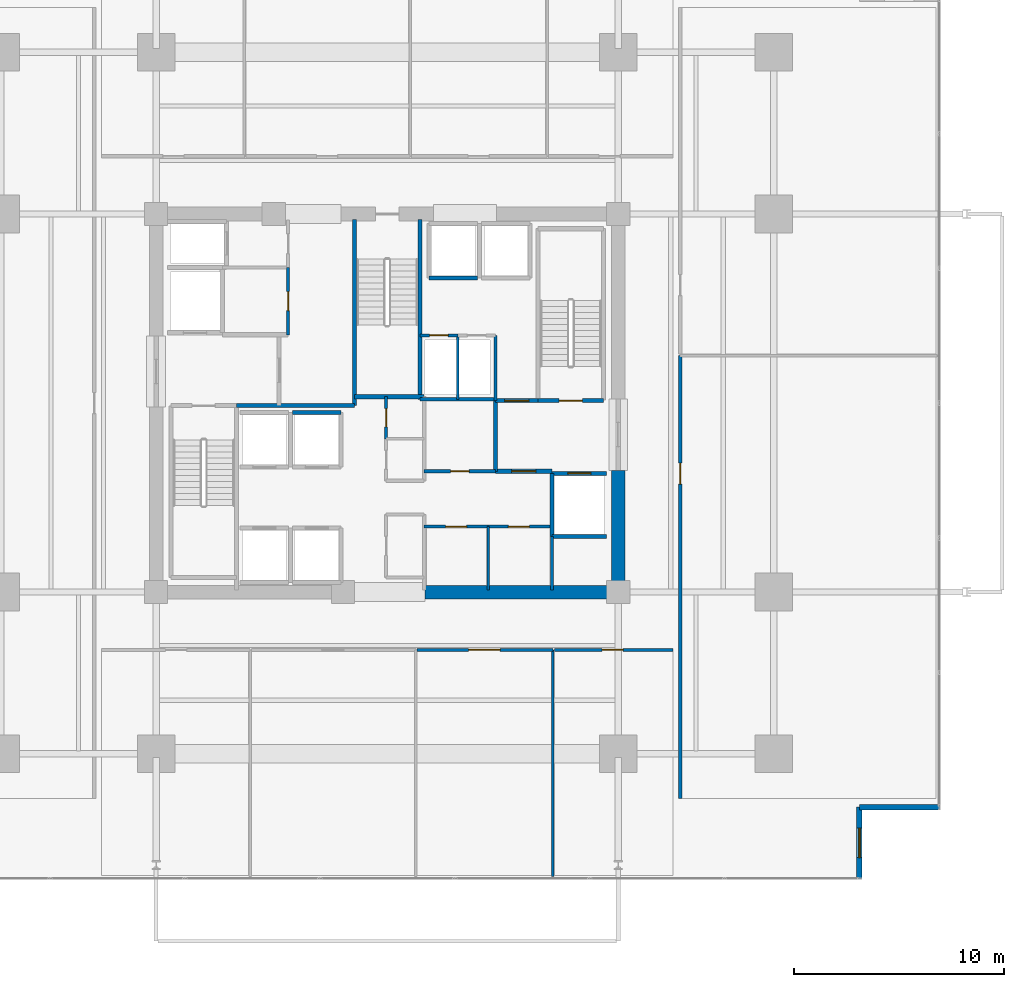
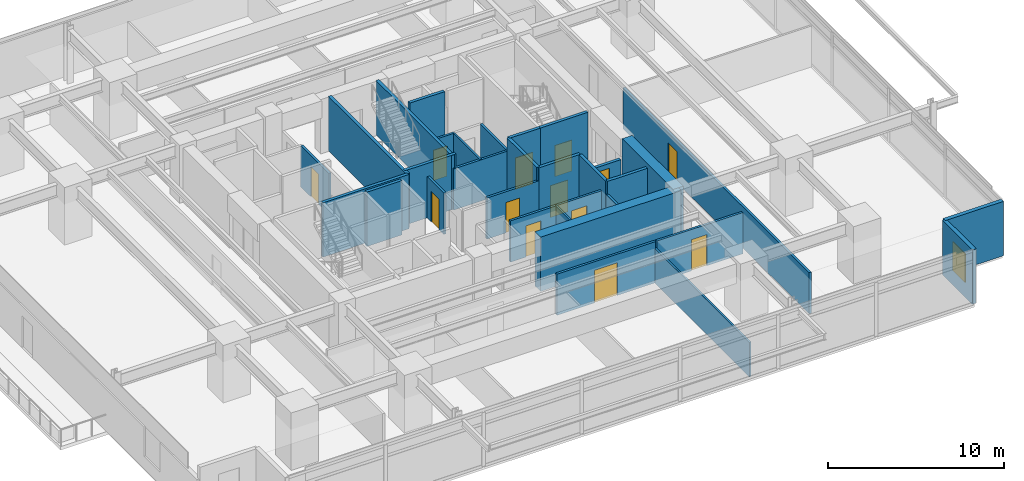
# One storey, part 13 of 19: 32 walls, 13 doors, 1 window, 14 openings.
"""IFC4 building model written with IfcOpenShell, lengths in metres."""

import ifcopenshell
import ifcopenshell.guid

model = None  # the IFC model being written
_history = None  # IfcOwnerHistory: only IFC2X3 demands one
_inside = {}  # id of a spatial element -> (the spatial element, [elements in it])
_under = {}  # id of a project, library or spatial element -> (it, [spatial elements below it])
_declared = {}  # id of a project -> (the project, [libraries it declares])
_typed = {}  # id of a type object -> (the type object, [elements of that type])
_made_of = {}  # id of a material, layer set ... -> (it, [elements and type objects made of it])


def new_model(schema):
    """Start an empty IFC model of exactly this schema.

    Asked for "IFC4X3", IfcOpenShell would pick the latest addendum, in which some entities
    have other attributes; the version numbers below select the first issue.
    IFC2X3 requires an IfcOwnerHistory on every rooted entity: one is made here for all.
    """
    global model, _history
    if schema == "IFC4X3":
        model = ifcopenshell.file(schema_version=(4, 3, 0, 0))
    else:
        model = ifcopenshell.file(schema=schema)
    _inside.clear()
    _under.clear()
    _declared.clear()
    _typed.clear()
    _made_of.clear()
    _history = None
    if model.schema == "IFC2X3":
        org = make("IfcOrganization", Name="unknown")
        user = make(
            "IfcPersonAndOrganization",
            ThePerson=make("IfcPerson", FamilyName="unknown"),
            TheOrganization=org,
        )
        app = make(
            "IfcApplication",
            ApplicationDeveloper=org,
            Version="unknown",
            ApplicationFullName="unknown",
            ApplicationIdentifier="unknown",
        )
        _history = make(
            "IfcOwnerHistory",
            OwningUser=user,
            OwningApplication=app,
            ChangeAction="ADDED",
            CreationDate=0,
        )
    return model


def make(cls, **values):
    """One entity of the class cls with the attributes given. An attribute that is None is left unset."""
    return model.create_entity(
        cls, **{name: value for name, value in values.items() if value is not None}
    )


def rooted(cls, **values):
    """An entity with a GlobalId (a new one), such as an element, a storey or a relation."""
    return make(cls, GlobalId=ifcopenshell.guid.new(), OwnerHistory=_history, **values)


def si_unit(unit_type, name, prefix=None):
    """IfcSIUnit, for example si_unit("LENGTHUNIT", "METRE", prefix="MILLI")."""
    return make("IfcSIUnit", UnitType=unit_type, Prefix=prefix, Name=name)


def assignment(units):
    """IfcUnitAssignment: the units of a project."""
    return None if units is None else make("IfcUnitAssignment", Units=units)


def point(xyz):
    """IfcCartesianPoint."""
    return None if xyz is None else make("IfcCartesianPoint", Coordinates=xyz)


def direction(xyz):
    """IfcDirection."""
    return None if xyz is None else make("IfcDirection", DirectionRatios=xyz)


def frame(location, z_axis=None, x_axis=None):
    """IfcAxis2Placement3D, a coordinate frame: its origin and axes. An axis left out is left unset."""
    return make(
        "IfcAxis2Placement3D",
        Location=point(location),
        Axis=direction(z_axis),
        RefDirection=direction(x_axis),
    )


def frame_2d(location, x_axis=None):
    """IfcAxis2Placement2D, a coordinate frame in the plane: its origin and x axis."""
    return make(
        "IfcAxis2Placement2D", Location=point(location), RefDirection=direction(x_axis)
    )


def origin():
    """The frame at (0, 0, 0) with its axes left unset."""
    return frame((0.0, 0.0, 0.0))


def place(relative_to, where):
    """IfcLocalPlacement: puts the frame where relative to a parent placement (None: the world)."""
    return make(
        "IfcLocalPlacement", PlacementRelTo=relative_to, RelativePlacement=where
    )


def context(
    kind, dimensions, precision=None, world=None, true_north=None, identifier=None
):
    """IfcGeometricRepresentationContext, for example the 3D "Model" context."""
    return make(
        "IfcGeometricRepresentationContext",
        ContextIdentifier=identifier,
        ContextType=kind,
        CoordinateSpaceDimension=dimensions,
        Precision=precision,
        WorldCoordinateSystem=world,
        TrueNorth=true_north,
    )


def subcontext(parent, identifier, kind, view, scale=None):
    """IfcGeometricRepresentationSubContext, for example "Body" below "Model"."""
    return make(
        "IfcGeometricRepresentationSubContext",
        ContextIdentifier=identifier,
        ContextType=kind,
        ParentContext=parent,
        TargetScale=scale,
        TargetView=view,
    )


def project(units=None, contexts=None):
    """IfcProject with its units and contexts."""
    return rooted(
        "IfcProject",
        Name="project",
        RepresentationContexts=contexts,
        UnitsInContext=assignment(units),
    )


def spatial(cls, under=None, at=None, **own):
    """A site, building, storey or space (cls), placed at a placement, below another one or the project."""
    s = rooted(cls, ObjectPlacement=at, **own)
    if under is not None:
        _under.setdefault(under.id(), (under, []))[1].append(s)
    return s


def profile(cls, at=None, kind="AREA", **sizes):
    """A parametric profile (cls). Its sizes go by their IFC names, for example OverallWidth=200.0."""
    return make(cls, ProfileType=kind, Position=at, **sizes)


def rectangle(**sizes):
    """IfcRectangleProfileDef."""
    return profile("IfcRectangleProfileDef", **sizes)


def extrude(swept, where, along, depth):
    """IfcExtrudedAreaSolid: the profile swept, set in the frame where, extruded along a direction by depth."""
    return make(
        "IfcExtrudedAreaSolid",
        SweptArea=swept,
        Position=where,
        ExtrudedDirection=direction(along),
        Depth=depth,
    )


def shape(context_of_items, identifier, shape_type, items):
    """IfcShapeRepresentation: the items that make up one representation, for example the "Body"."""
    return make(
        "IfcShapeRepresentation",
        ContextOfItems=context_of_items,
        RepresentationIdentifier=identifier,
        RepresentationType=shape_type,
        Items=items,
    )


def material(Name=None, Category=None):
    """IfcMaterial."""
    return make("IfcMaterial", Name=Name, Category=Category)


def layer(
    of_material, thickness, ventilated=None, Name=None, Category=None, Priority=None
):
    """IfcMaterialLayer: one layer of a wall or slab, of a material (None: an air gap)."""
    return make(
        "IfcMaterialLayer",
        Material=of_material,
        LayerThickness=thickness,
        IsVentilated=ventilated,
        Name=Name,
        Category=Category,
        Priority=Priority,
    )


def layer_set(layers, Name=None):
    """IfcMaterialLayerSet."""
    return make("IfcMaterialLayerSet", MaterialLayers=layers, LayerSetName=Name)


def made_of(thing, what):
    """Note that an element or type object is made of a material, layer set ...; save() writes the relation."""
    if what is not None:
        _made_of.setdefault(what.id(), (what, []))[1].append(thing)
    return thing


def type_object(cls, material=None, **own):
    """A type object (cls), such as IfcWallType, which elements share."""
    return made_of(rooted(cls, **own), material)


def element(
    cls,
    number,
    at=None,
    inside=None,
    cuts=None,
    type_object=None,
    material=None,
    context=None,
    identifier="Body",
    shape_type=None,
    held_by="IfcProductDefinitionShape",
    body=None,
    shapes=None,
    **own,
):
    """One element of the class cls, such as IfcWall. Its Tag is "e" and its number.

    at: its placement. inside: the storey or other place that contains it. cuts: it is an
    opening in that element (IfcRelVoidsElement). A single representation is given by context,
    identifier, shape_type and body (its items); several are given by shapes. held_by: the class
    of the entity that holds the representations. save() writes the other relations.
    """
    e = rooted(cls, Tag="e%d" % number, ObjectPlacement=at, **own)
    if body is not None:
        shapes = [shape(context, identifier, shape_type, body)]
    if shapes is not None:
        e.Representation = make(held_by, Representations=shapes)
    if inside is not None:
        _inside.setdefault(inside.id(), (inside, []))[1].append(e)
    if cuts is not None:
        rooted(
            "IfcRelVoidsElement", RelatingBuildingElement=cuts, RelatedOpeningElement=e
        )
    if type_object is not None:
        _typed.setdefault(type_object.id(), (type_object, []))[1].append(e)
    return made_of(e, material)


def fill(opening, filler):
    """IfcRelFillsElement: the door or window that sits in an opening."""
    return rooted(
        "IfcRelFillsElement",
        RelatingOpeningElement=opening,
        RelatedBuildingElement=filler,
    )


def aggregate(whole, parts):
    """IfcRelAggregates: a whole, such as a stair, and the parts it consists of."""
    return rooted("IfcRelAggregates", RelatingObject=whole, RelatedObjects=parts)


def save(model, path):
    """Write the relations noted so far, then the file.

    IfcRelAggregates (storeys below a building ...), IfcRelContainedInSpatialStructure (elements
    in a storey), IfcRelDefinesByType, IfcRelAssociatesMaterial and IfcRelDeclares: one each for
    every whole, place, type object, material and project.
    """
    for whole, parts in _under.values():
        aggregate(whole, parts)
    for where, things in _inside.values():
        rooted(
            "IfcRelContainedInSpatialStructure",
            RelatedElements=things,
            RelatingStructure=where,
        )
    for kind, things in _typed.values():
        rooted("IfcRelDefinesByType", RelatedObjects=things, RelatingType=kind)
    for what, things in _made_of.values():
        rooted("IfcRelAssociatesMaterial", RelatedObjects=things, RelatingMaterial=what)
    for by, libraries in _declared.values():
        rooted("IfcRelDeclares", RelatingContext=by, RelatedDefinitions=libraries)
    model.write(path)


model = new_model("IFC4")

# Units and contexts
model_context = context("Model", 3, precision=1e-05, world=origin(), true_north=direction((0.0, 1.0)))
body_context = subcontext(model_context, "Body", "Model", "MODEL_VIEW")
ifc_project = project(units=[si_unit("LENGTHUNIT", "METRE"), si_unit("AREAUNIT", "SQUARE_METRE"), si_unit("VOLUMEUNIT", "CUBIC_METRE"), si_unit("PLANEANGLEUNIT", "RADIAN"), si_unit("MASSUNIT", "GRAM", prefix="KILO")], contexts=[model_context])

# Site, building, storey
site_placement = place(None, origin())
site = spatial("IfcSite", under=ifc_project, at=site_placement, CompositionType="ELEMENT")
building_placement = place(site_placement, origin())
building = spatial("IfcBuilding", under=site, at=building_placement, Name="Kovane Verandah Tower", CompositionType="ELEMENT")
storey_placement = place(building_placement, frame((0.0, 0.0, 83.60009765625)))
storey = spatial("IfcBuildingStorey", under=building, at=storey_placement, Name="L19", CompositionType="ELEMENT", Elevation=83.60009765625)

# Wall, opening, door
ifc_material_1 = material(Name="Fire-Rated Gypsum Stud Partition", Category="gypsum")
ifc_layer_1 = layer(ifc_material_1, 0.14990234375)
ifc_layer_set_1 = layer_set([ifc_layer_1], Name="Fire-Rated Gypsum Stud Partition")
wall_type_1 = type_object("IfcWallType", Name="WL-COR-150", PredefinedType="PARTITIONING", material=ifc_layer_set_1)
wall_1_placement = place(storey_placement, frame((39.949951171875, 25.800048828125, 0.0), z_axis=(0.0, 0.0, 1.0), x_axis=(0.0, 1.0, 0.0)))
wall_1 = element("IfcWall", 1, at=wall_1_placement, inside=storey, type_object=wall_type_1, Name="L19 Electrical Riser Room Partition", PredefinedType="PARTITIONING", context=body_context, shape_type="SweptSolid", body=[
    extrude(rectangle(XDim=2.0, YDim=0.14990234375, at=frame_2d((1.0, 0.0))), origin(), (0.0, 0.0, 1.0), 2.849853515625),
])
opening_1_placement = place(wall_1_placement, frame((0.56005859375, 0.0, 0.0)))
opening_1 = element("IfcOpeningElement", 2, at=opening_1_placement, cuts=wall_1, Name="Opening DR-L19-027", PredefinedType="OPENING", context=body_context, shape_type="SweptSolid", body=[
    extrude(rectangle(XDim=0.8798828125, YDim=2.10009765625, at=frame_2d((0.43994140625, 1.050048828125))), frame((0.0, 0.074951171875, 0.0), z_axis=(0.0, -1.0, 0.0), x_axis=(1.0, 0.0, 0.0)), (0.0, 0.0, 1.0), 0.14990234375),
])
ifc_material_2 = material(Name="Fire-Rated Steel Riser Access Door", Category="steel")
door_type_1 = type_object("IfcDoorType", Name="DR-RISER-880", OperationType="SINGLE_SWING_LEFT", PredefinedType="DOOR", material=ifc_material_2)
door_1_placement = place(opening_1_placement, origin())
door_1 = element("IfcDoor", 3, at=door_1_placement, inside=storey, type_object=door_type_1, Name="L19 Electrical Riser Room Door", OperationType="SINGLE_SWING_RIGHT", OverallHeight=2.10009765625, OverallWidth=0.8798828125, PredefinedType="DOOR", context=body_context, shape_type="SweptSolid", body=[
    extrude(rectangle(XDim=0.8798828125, YDim=2.10009765625, at=frame_2d((0.43994140625, 1.050048828125))), frame((0.0, 0.02490234375, 0.0), z_axis=(0.0, -1.0, 0.0), x_axis=(1.0, 0.0, 0.0)), (0.0, 0.0, 1.0), 0.050048828125),
])
fill(opening_1, door_1)

wall_2_placement = place(storey_placement, frame((35.280029296875, 30.75, 0.0), z_axis=(0.0, 0.0, 1.0), x_axis=(0.0, 1.0, 0.0)))
wall_2 = element("IfcWall", 4, at=wall_2_placement, inside=storey, type_object=wall_type_1, Name="L19 Accessible Unisex Toilet Partition", PredefinedType="PARTITIONING", context=body_context, shape_type="SweptSolid", body=[
    extrude(rectangle(XDim=3.199951171875, YDim=0.14990234375, at=frame_2d((1.60009765625, 0.0))), origin(), (0.0, 0.0, 1.0), 2.849853515625),
])
opening_2_placement = place(wall_2_placement, frame((1.14990234375, 0.0, 0.0)))
opening_2 = element("IfcOpeningElement", 5, at=opening_2_placement, cuts=wall_2, Name="Opening DR-L19-028", PredefinedType="OPENING", context=body_context, shape_type="SweptSolid", body=[
    extrude(rectangle(XDim=0.89990234375, YDim=2.10009765625, at=frame_2d((0.449951171875, 1.050048828125))), frame((0.0, 0.074951171875, 0.0), z_axis=(0.0, -1.0, 0.0), x_axis=(1.0, 0.0, 0.0)), (0.0, 0.0, 1.0), 0.14990234375),
])
ifc_material_3 = material(Name="Moisture-Resistant Laminate Washroom Door", Category="wood")
door_type_2 = type_object("IfcDoorType", Name="DR-WC-900", OperationType="SINGLE_SWING_LEFT", PredefinedType="DOOR", material=ifc_material_3)
door_2_placement = place(opening_2_placement, origin())
door_2 = element("IfcDoor", 6, at=door_2_placement, inside=storey, type_object=door_type_2, Name="L19 Accessible Unisex Toilet Door", OperationType="SINGLE_SWING_RIGHT", OverallHeight=2.10009765625, OverallWidth=0.89990234375, PredefinedType="DOOR", context=body_context, shape_type="SweptSolid", body=[
    extrude(rectangle(XDim=0.89990234375, YDim=2.10009765625, at=frame_2d((0.449951171875, 1.050048828125))), frame((0.0, 0.02490234375, 0.0), z_axis=(0.0, -1.0, 0.0), x_axis=(1.0, 0.0, 0.0)), (0.0, 0.0, 1.0), 0.050048828125),
])
fill(opening_2, door_2)

# Walls
wall_3_placement = place(storey_placement, frame((41.56005859375, 27.679931640625, 0.0), z_axis=(0.0, 0.0, 1.0), x_axis=(1.0, 0.0, 0.0)))
element("IfcWall", 7, at=wall_3_placement, inside=storey, type_object=wall_type_1, Name="L19 East Core Service Riser South Wall", PredefinedType="PARTITIONING", context=body_context, shape_type="SweptSolid", body=[
    extrude(rectangle(XDim=3.58984375, YDim=0.14990234375, at=frame_2d((1.794921875, 0.0))), origin(), (0.0, 0.0, 1.0), 2.849853515625),
])
wall_4_placement = place(storey_placement, frame((47.85009765625, 18.60009765625, 0.0), z_axis=(0.0, 0.0, 1.0), x_axis=(0.0, 1.0, 0.0)))
element("IfcWall", 8, at=wall_4_placement, inside=storey, type_object=wall_type_1, Name="L19 East Core Support East Wall", PredefinedType="PARTITIONING", context=body_context, shape_type="SweptSolid", body=[
    extrude(rectangle(XDim=2.539794921875, YDim=0.14990234375, at=frame_2d((1.27001953125, 0.0))), origin(), (0.0, 0.0, 1.0), 2.849853515625),
])

# Wall, opening, door
wall_5_placement = place(storey_placement, frame((41.760009765625, 21.6201171875, 0.0), z_axis=(0.0, 0.0, 1.0), x_axis=(1.0, 0.0, 0.0)))
wall_5 = element("IfcWall", 9, at=wall_5_placement, inside=storey, type_object=wall_type_1, Name="L19 AV Control Room Partition", PredefinedType="PARTITIONING", context=body_context, shape_type="SweptSolid", body=[
    extrude(rectangle(XDim=3.0400390625, YDim=0.14990234375, at=frame_2d((1.52001953125, 0.0))), origin(), (0.0, 0.0, 1.0), 2.849853515625),
])
opening_3_placement = place(wall_5_placement, frame((1.02001953125, 0.0, 0.0)))
opening_3 = element("IfcOpeningElement", 10, at=opening_3_placement, cuts=wall_5, Name="Opening DR-L19-014", PredefinedType="OPENING", context=body_context, shape_type="SweptSolid", body=[
    extrude(rectangle(XDim=1.0, YDim=2.14990234375, at=frame_2d((0.5, 1.074951171875))), frame((0.0, 0.074951171875, 0.0), z_axis=(0.0, -1.0, 0.0), x_axis=(1.0, 0.0, 0.0)), (0.0, 0.0, 1.0), 0.14990234375),
])
ifc_material_4 = material(Name="FSC Spotted-Gum Timber Fire-Rated Office Door", Category="wood")
door_type_3 = type_object("IfcDoorType", Name="DR-OFF-1000", OperationType="SINGLE_SWING_LEFT", PredefinedType="DOOR", material=ifc_material_4)
door_3_placement = place(opening_3_placement, origin())
door_3 = element("IfcDoor", 11, at=door_3_placement, inside=storey, type_object=door_type_3, Name="L19 AV Control Room Door", OperationType="SINGLE_SWING_LEFT", OverallHeight=2.14990234375, OverallWidth=1.0, PredefinedType="DOOR", context=body_context, shape_type="SweptSolid", body=[
    extrude(rectangle(XDim=1.0, YDim=2.14990234375, at=frame_2d((0.5, 1.074951171875))), frame((0.0, 0.02490234375, 0.0), z_axis=(0.0, -1.0, 0.0), x_axis=(1.0, 0.0, 0.0)), (0.0, 0.0, 1.0), 0.050048828125),
])
fill(opening_3, door_3)

wall_6_placement = place(storey_placement, frame((44.800048828125, 21.6201171875, 0.0), z_axis=(0.0, 0.0, 1.0), x_axis=(1.0, 0.0, 0.0)))
wall_6 = element("IfcWall", 12, at=wall_6_placement, inside=storey, type_object=wall_type_1, Name="L19 East IT Server Room Partition", PredefinedType="PARTITIONING", context=body_context, shape_type="SweptSolid", body=[
    extrude(rectangle(XDim=2.93994140625, YDim=0.14990234375, at=frame_2d((1.469970703125, 0.0))), origin(), (0.0, 0.0, 1.0), 2.849853515625),
])
opening_4_placement = place(wall_6_placement, frame((0.969970703125, 0.0, 0.0)))
opening_4 = element("IfcOpeningElement", 13, at=opening_4_placement, cuts=wall_6, Name="Opening DR-L19-015", PredefinedType="OPENING", context=body_context, shape_type="SweptSolid", body=[
    extrude(rectangle(XDim=1.0, YDim=2.14990234375, at=frame_2d((0.5, 1.074951171875))), frame((0.0, 0.074951171875, 0.0), z_axis=(0.0, -1.0, 0.0), x_axis=(1.0, 0.0, 0.0)), (0.0, 0.0, 1.0), 0.14990234375),
])
door_4_placement = place(opening_4_placement, origin())
door_4 = element("IfcDoor", 14, at=door_4_placement, inside=storey, type_object=door_type_3, Name="L19 East IT Server Room Door", OperationType="SINGLE_SWING_RIGHT", OverallHeight=2.14990234375, OverallWidth=1.0, PredefinedType="DOOR", context=body_context, shape_type="SweptSolid", body=[
    extrude(rectangle(XDim=1.0, YDim=2.14990234375, at=frame_2d((0.5, 1.074951171875))), frame((0.0, 0.02490234375, 0.0), z_axis=(0.0, -1.0, 0.0), x_axis=(1.0, 0.0, 0.0)), (0.0, 0.0, 1.0), 0.050048828125),
])
fill(opening_4, door_4)

wall_7_placement = place(storey_placement, frame((41.760009765625, 24.25, 0.0), z_axis=(0.0, 0.0, 1.0), x_axis=(1.0, 0.0, 0.0)))
wall_7 = element("IfcWall", 15, at=wall_7_placement, inside=storey, type_object=wall_type_1, Name="L19 Cleaner Store Partition", PredefinedType="PARTITIONING", context=body_context, shape_type="SweptSolid", body=[
    extrude(rectangle(XDim=3.389892578125, YDim=0.14990234375, at=frame_2d((1.69482421875, 0.0))), origin(), (0.0, 0.0, 1.0), 2.849853515625),
])
opening_5_placement = place(wall_7_placement, frame((1.2548828125, 0.0, 0.0)))
opening_5 = element("IfcOpeningElement", 16, at=opening_5_placement, cuts=wall_7, Name="Opening DR-L19-016", PredefinedType="OPENING", context=body_context, shape_type="SweptSolid", body=[
    extrude(rectangle(XDim=0.8798828125, YDim=2.10009765625, at=frame_2d((0.43994140625, 1.050048828125))), frame((0.0, 0.074951171875, 0.0), z_axis=(0.0, -1.0, 0.0), x_axis=(1.0, 0.0, 0.0)), (0.0, 0.0, 1.0), 0.14990234375),
])
door_5_placement = place(opening_5_placement, origin())
door_5 = element("IfcDoor", 17, at=door_5_placement, inside=storey, type_object=door_type_1, Name="L19 Cleaner Store Door", OperationType="SINGLE_SWING_LEFT", OverallHeight=2.10009765625, OverallWidth=0.8798828125, PredefinedType="DOOR", context=body_context, shape_type="SweptSolid", body=[
    extrude(rectangle(XDim=0.8798828125, YDim=2.10009765625, at=frame_2d((0.43994140625, 1.050048828125))), frame((0.0, 0.02490234375, 0.0), z_axis=(0.0, -1.0, 0.0), x_axis=(1.0, 0.0, 0.0)), (0.0, 0.0, 1.0), 0.050048828125),
])
fill(opening_5, door_5)

# Wall
wall_8_placement = place(storey_placement, frame((45.14990234375, 27.6201171875, 0.0), z_axis=(0.0, 0.0, 1.0), x_axis=(0.0, 1.0, 0.0)))
element("IfcWall", 18, at=wall_8_placement, inside=storey, type_object=wall_type_1, Name="L19 East Core Service Riser East Wall", PredefinedType="PARTITIONING", context=body_context, shape_type="SweptSolid", body=[
    extrude(rectangle(XDim=3.099853515625, YDim=0.14990234375, at=frame_2d((1.5498046875, 0.0))), origin(), (0.0, 0.0, 1.0), 2.849853515625),
])

# Wall, opening, door
wall_9_placement = place(storey_placement, frame((41.56005859375, 30.719970703125, 0.0), z_axis=(0.0, 0.0, 1.0), x_axis=(1.0, 0.0, 0.0)))
wall_9 = element("IfcWall", 19, at=wall_9_placement, inside=storey, type_object=wall_type_1, Name="L19 Chilled Water Riser Room Partition", PredefinedType="PARTITIONING", context=body_context, shape_type="SweptSolid", body=[
    extrude(rectangle(XDim=1.800048828125, YDim=0.14990234375, at=frame_2d((0.89990234375, 0.0))), origin(), (0.0, 0.0, 1.0), 2.849853515625),
])
opening_6_placement = place(wall_9_placement, frame((0.4599609375, 0.0, 0.0)))
opening_6 = element("IfcOpeningElement", 20, at=opening_6_placement, cuts=wall_9, Name="Opening DR-L19-017", PredefinedType="OPENING", context=body_context, shape_type="SweptSolid", body=[
    extrude(rectangle(XDim=0.8798828125, YDim=2.10009765625, at=frame_2d((0.43994140625, 1.050048828125))), frame((0.0, 0.074951171875, 0.0), z_axis=(0.0, -1.0, 0.0), x_axis=(1.0, 0.0, 0.0)), (0.0, 0.0, 1.0), 0.14990234375),
])
door_6_placement = place(opening_6_placement, origin())
door_6 = element("IfcDoor", 21, at=door_6_placement, inside=storey, type_object=door_type_1, Name="L19 Chilled Water Riser Room Door", OperationType="SINGLE_SWING_RIGHT", OverallHeight=2.10009765625, OverallWidth=0.8798828125, PredefinedType="DOOR", context=body_context, shape_type="SweptSolid", body=[
    extrude(rectangle(XDim=0.8798828125, YDim=2.10009765625, at=frame_2d((0.43994140625, 1.050048828125))), frame((0.0, 0.02490234375, 0.0), z_axis=(0.0, -1.0, 0.0), x_axis=(1.0, 0.0, 0.0)), (0.0, 0.0, 1.0), 0.050048828125),
])
fill(opening_6, door_6)

wall_10_placement = place(storey_placement, frame((41.429931640625, 15.75, 0.0), z_axis=(0.0, 0.0, 1.0), x_axis=(1.0, 0.0, 0.0)))
wall_10 = element("IfcWall", 22, at=wall_10_placement, inside=storey, type_object=wall_type_1, Name="L19 Client Boardroom S3 Corridor Partition", PredefinedType="PARTITIONING", context=body_context, shape_type="SweptSolid", body=[
    extrude(rectangle(XDim=6.4580078125, YDim=0.14990234375, at=frame_2d((3.22900390625, 0.0))), origin(), (0.0, 0.0, 1.0), 2.849853515625),
])
opening_7_placement = place(wall_10_placement, frame((2.444091796875, 0.0, 0.0)))
opening_7 = element("IfcOpeningElement", 23, at=opening_7_placement, cuts=wall_10, Name="Opening DR-L19-025", PredefinedType="OPENING", context=body_context, shape_type="SweptSolid", body=[
    extrude(rectangle(XDim=1.5, YDim=2.25, at=frame_2d((0.75, 1.125))), frame((0.0, 0.074951171875, 0.0), z_axis=(0.0, -1.0, 0.0), x_axis=(1.0, 0.0, 0.0)), (0.0, 0.0, 1.0), 0.14990234375),
])
ifc_material_5 = material(Name="Glazed Timber Fire-Rated Double Door", Category="wood")
door_type_4 = type_object("IfcDoorType", Name="DR-CONF-1500", OperationType="DOUBLE_DOOR_SINGLE_SWING", PredefinedType="DOOR", material=ifc_material_5)
door_7_placement = place(opening_7_placement, origin())
door_7 = element("IfcDoor", 24, at=door_7_placement, inside=storey, type_object=door_type_4, Name="L19 Client Boardroom S3 Entrance Door", OperationType="DOUBLE_DOOR_SINGLE_SWING", OverallHeight=2.25, OverallWidth=1.5, PredefinedType="DOOR", context=body_context, shape_type="SweptSolid", body=[
    extrude(rectangle(XDim=1.5, YDim=2.25, at=frame_2d((0.75, 1.125))), frame((0.0, 0.02490234375, 0.0), z_axis=(0.0, -1.0, 0.0), x_axis=(1.0, 0.0, 0.0)), (0.0, 0.0, 1.0), 0.050048828125),
])
fill(opening_7, door_7)

wall_11_placement = place(storey_placement, frame((47.9580078125, 15.75, 0.0), z_axis=(0.0, 0.0, 1.0), x_axis=(1.0, 0.0, 0.0)))
wall_11 = element("IfcWall", 25, at=wall_11_placement, inside=storey, type_object=wall_type_1, Name="L19 Meeting Room S4 Corridor Partition", PredefinedType="PARTITIONING", context=body_context, shape_type="SweptSolid", body=[
    extrude(rectangle(XDim=5.64208984375, YDim=0.14990234375, at=frame_2d((2.821044921875, 0.0))), origin(), (0.0, 0.0, 1.0), 2.849853515625),
])
opening_8_placement = place(wall_11_placement, frame((2.27099609375, 0.0, 0.0)))
opening_8 = element("IfcOpeningElement", 26, at=opening_8_placement, cuts=wall_11, Name="Opening DR-L19-026", PredefinedType="OPENING", context=body_context, shape_type="SweptSolid", body=[
    extrude(rectangle(XDim=1.0, YDim=2.14990234375, at=frame_2d((0.5, 1.074951171875))), frame((0.0, 0.074951171875, 0.0), z_axis=(0.0, -1.0, 0.0), x_axis=(1.0, 0.0, 0.0)), (0.0, 0.0, 1.0), 0.14990234375),
])
door_8_placement = place(opening_8_placement, origin())
door_8 = element("IfcDoor", 27, at=door_8_placement, inside=storey, type_object=door_type_3, Name="L19 Meeting Room S4 Entrance Door", OperationType="SINGLE_SWING_LEFT", OverallHeight=2.14990234375, OverallWidth=1.0, PredefinedType="DOOR", context=body_context, shape_type="SweptSolid", body=[
    extrude(rectangle(XDim=1.0, YDim=2.14990234375, at=frame_2d((0.5, 1.074951171875))), frame((0.0, 0.02490234375, 0.0), z_axis=(0.0, -1.0, 0.0), x_axis=(1.0, 0.0, 0.0)), (0.0, 0.0, 1.0), 0.050048828125),
])
fill(opening_8, door_8)

wall_12_placement = place(storey_placement, frame((53.949951171875, 8.660888671875, 0.0), z_axis=(0.0, 0.0, 1.0), x_axis=(0.0, 1.0, 0.0)))
wall_12 = element("IfcWall", 28, at=wall_12_placement, inside=storey, type_object=wall_type_1, Name="L19 Breakout Pantry E1 Corridor Partition", PredefinedType="PARTITIONING", context=body_context, shape_type="SweptSolid", body=[
    extrude(rectangle(XDim=21.099853515625, YDim=0.14990234375, at=frame_2d((10.5498046875, 0.0))), origin(), (0.0, 0.0, 1.0), 2.849853515625),
])
opening_9_placement = place(wall_12_placement, frame((14.984619140625, 0.0, 0.0)))
opening_9 = element("IfcOpeningElement", 29, at=opening_9_placement, cuts=wall_12, Name="Opening DR-L19-012", PredefinedType="OPENING", context=body_context, shape_type="SweptSolid", body=[
    extrude(rectangle(XDim=1.0, YDim=2.14990234375, at=frame_2d((0.5, 1.074951171875))), frame((0.0, 0.074951171875, 0.0), z_axis=(0.0, -1.0, 0.0), x_axis=(1.0, 0.0, 0.0)), (0.0, 0.0, 1.0), 0.14990234375),
])
door_9_placement = place(opening_9_placement, origin())
door_9 = element("IfcDoor", 30, at=door_9_placement, inside=storey, type_object=door_type_3, Name="L19 Breakout Pantry E1 Entrance Door", OperationType="SINGLE_SWING_LEFT", OverallHeight=2.14990234375, OverallWidth=1.0, PredefinedType="DOOR", context=body_context, shape_type="SweptSolid", body=[
    extrude(rectangle(XDim=1.0, YDim=2.14990234375, at=frame_2d((0.5, 1.074951171875))), frame((0.0, 0.02490234375, 0.0), z_axis=(0.0, -1.0, 0.0), x_axis=(1.0, 0.0, 0.0)), (0.0, 0.0, 1.0), 0.050048828125),
])
fill(opening_9, door_9)

# Walls
ifc_material_6 = material(Name="Concrete C80/95", Category="concrete")
ifc_layer_2 = layer(ifc_material_6, 0.64990234375)
ifc_layer_set_2 = layer_set([ifc_layer_2], Name="Concrete C80/95")
wall_type_2 = type_object("IfcWallType", Name="WL-CORE-650", PredefinedType="SHEAR", material=ifc_layer_set_2)
wall_13_placement = place(storey_placement, frame((41.800048828125, 18.5, 0.0), z_axis=(0.0, 0.0, 1.0), x_axis=(1.0, 0.0, 0.0)))
element("IfcWall", 31, at=wall_13_placement, inside=storey, type_object=wall_type_2, Name="L19 Core Shear Wall CS-2", PredefinedType="SHEAR", context=body_context, shape_type="SweptSolid", body=[
    extrude(rectangle(XDim=9.199951171875, YDim=0.64990234375, at=frame_2d((4.60009765625, 0.0))), origin(), (0.0, 0.0, 1.0), 3.760009765625),
])
wall_14_placement = place(storey_placement, frame((51.0, 18.5, 0.0), z_axis=(0.0, 0.0, 1.0), x_axis=(0.0, 1.0, 0.0)))
element("IfcWall", 32, at=wall_14_placement, inside=storey, type_object=wall_type_2, Name="L19 Core Shear Wall CE-1", PredefinedType="SHEAR", context=body_context, shape_type="SweptSolid", body=[
    extrude(rectangle(XDim=5.800048828125, YDim=0.64990234375, at=frame_2d((2.89990234375, 0.0))), origin(), (0.0, 0.0, 1.0), 3.760009765625),
])
ifc_material_7 = material(Name="Concrete C45/55 Fire Wall", Category="concrete")
ifc_layer_3 = layer(ifc_material_7, 0.199951171875)
ifc_layer_set_3 = layer_set([ifc_layer_3], Name="Concrete C45/55 Fire Wall")
wall_type_3 = type_object("IfcWallType", Name="WL-FFL-200", PredefinedType="PARTITIONING", material=ifc_layer_set_3)
wall_15_placement = place(storey_placement, frame((32.820068359375, 27.3798828125, 0.0), z_axis=(0.0, 0.0, 1.0), x_axis=(1.0, 0.0, 0.0)))
element("IfcWall", 33, at=wall_15_placement, inside=storey, type_object=wall_type_3, Name="L19 West Firefighting Lobby South Fire Wall", PredefinedType="PARTITIONING", context=body_context, shape_type="SweptSolid", body=[
    extrude(rectangle(XDim=5.619873046875, YDim=0.199951171875, at=frame_2d((2.81005859375, 0.0))), origin(), (0.0, 0.0, 1.0), 3.760009765625),
])
wall_16_placement = place(storey_placement, frame((45.14990234375, 24.25, 0.0), z_axis=(0.0, 0.0, 1.0), x_axis=(0.0, 1.0, 0.0)))
element("IfcWall", 34, at=wall_16_placement, inside=storey, type_object=wall_type_3, Name="L19 East Firefighting Lobby West Fire Wall", PredefinedType="PARTITIONING", context=body_context, shape_type="SweptSolid", body=[
    extrude(rectangle(XDim=3.3701171875, YDim=0.199951171875, at=frame_2d((1.68505859375, 0.0))), origin(), (0.0, 0.0, 1.0), 3.760009765625),
])

# Wall, opening, door
wall_17_placement = place(storey_placement, frame((45.14990234375, 24.25, 0.0), z_axis=(0.0, 0.0, 1.0), x_axis=(1.0, 0.0, 0.0)))
wall_17 = element("IfcWall", 35, at=wall_17_placement, inside=storey, type_object=wall_type_3, Name="W-L19-FFLE-S", PredefinedType="PARTITIONING", context=body_context, shape_type="SweptSolid", body=[
    extrude(rectangle(XDim=2.7001953125, YDim=0.199951171875, at=frame_2d((1.35009765625, 0.0))), origin(), (0.0, 0.0, 1.0), 3.760009765625),
])
opening_10_placement = place(wall_17_placement, frame((0.77490234375, 0.0, 0.0)))
opening_10 = element("IfcOpeningElement", 36, at=opening_10_placement, cuts=wall_17, Name="Opening DR-L19-003", PredefinedType="OPENING", context=body_context, shape_type="SweptSolid", body=[
    extrude(rectangle(XDim=1.14990234375, YDim=2.199951171875, at=frame_2d((0.574951171875, 1.10009765625))), frame((0.0, 0.10009765625, 0.0), z_axis=(0.0, -1.0, 0.0), x_axis=(1.0, 0.0, 0.0)), (0.0, 0.0, 1.0), 0.199951171875),
])
ifc_material_8 = material(Name="Smoke-Sealed Firefighting Lobby Door", Category="steel")
door_type_5 = type_object("IfcDoorType", Name="DR-FFL-1150", OperationType="SINGLE_SWING_LEFT", PredefinedType="DOOR", material=ifc_material_8)
door_10_placement = place(opening_10_placement, origin())
door_10 = element("IfcDoor", 37, at=door_10_placement, inside=storey, type_object=door_type_5, Name="L19 East Firefighting Lobby Inner Door", OperationType="SINGLE_SWING_RIGHT", OverallHeight=2.199951171875, OverallWidth=1.14990234375, PredefinedType="DOOR", context=body_context, shape_type="SweptSolid", body=[
    extrude(rectangle(XDim=1.14990234375, YDim=2.199951171875, at=frame_2d((0.574951171875, 1.10009765625))), frame((0.0, 0.02490234375, 0.0), z_axis=(0.0, -1.0, 0.0), x_axis=(1.0, 0.0, 0.0)), (0.0, 0.0, 1.0), 0.050048828125),
])
fill(opening_10, door_10)

wall_18_placement = place(storey_placement, frame((45.14990234375, 27.6201171875, 0.0), z_axis=(0.0, 0.0, 1.0), x_axis=(1.0, 0.0, 0.0)))
wall_18 = element("IfcWall", 38, at=wall_18_placement, inside=storey, type_object=wall_type_3, Name="W-L19-FFLE-N", PredefinedType="PARTITIONING", context=body_context, shape_type="SweptSolid", body=[
    extrude(rectangle(XDim=2.030029296875, YDim=0.199951171875, at=frame_2d((1.01513671875, 0.0))), origin(), (0.0, 0.0, 1.0), 3.760009765625),
])
opening_11_placement = place(wall_18_placement, frame((0.43994140625, 0.0, 0.0)))
opening_11 = element("IfcOpeningElement", 39, at=opening_11_placement, cuts=wall_18, Name="Opening DR-L19-004", PredefinedType="OPENING", context=body_context, shape_type="SweptSolid", body=[
    extrude(rectangle(XDim=1.14990234375, YDim=2.199951171875, at=frame_2d((0.574951171875, 1.10009765625))), frame((0.0, 0.10009765625, 0.0), z_axis=(0.0, -1.0, 0.0), x_axis=(1.0, 0.0, 0.0)), (0.0, 0.0, 1.0), 0.199951171875),
])
door_11_placement = place(opening_11_placement, origin())
door_11 = element("IfcDoor", 40, at=door_11_placement, inside=storey, type_object=door_type_5, Name="L19 East Firefighting Lobby Shuttle Link Door", OperationType="SINGLE_SWING_LEFT", OverallHeight=2.199951171875, OverallWidth=1.14990234375, PredefinedType="DOOR", context=body_context, shape_type="SweptSolid", body=[
    extrude(rectangle(XDim=1.14990234375, YDim=2.199951171875, at=frame_2d((0.574951171875, 1.10009765625))), frame((0.0, 0.02490234375, 0.0), z_axis=(0.0, -1.0, 0.0), x_axis=(1.0, 0.0, 0.0)), (0.0, 0.0, 1.0), 0.050048828125),
])
fill(opening_11, door_11)

# Wall
ifc_material_9 = material(Name="Concrete C45/55 Lift Shaft Wall", Category="concrete")
ifc_layer_4 = layer(ifc_material_9, 0.199951171875)
ifc_layer_set_4 = layer_set([ifc_layer_4], Name="Concrete C45/55 Lift Shaft Wall")
wall_type_4 = type_object("IfcWallType", Name="WL-LIFT-200", PredefinedType="SOLIDWALL", material=ifc_layer_set_4)
wall_19_placement = place(storey_placement, frame((47.85009765625, 21.14990234375, 0.0), z_axis=(0.0, 0.0, 1.0), x_axis=(1.0, 0.0, 0.0)))
element("IfcWall", 41, at=wall_19_placement, inside=storey, type_object=wall_type_4, Name="L19 Lift FL-02 S Shaft Wall", PredefinedType="SOLIDWALL", context=body_context, shape_type="SweptSolid", body=[
    extrude(rectangle(XDim=2.599853515625, YDim=0.199951171875, at=frame_2d((1.2998046875, 0.0))), origin(), (0.0, 0.0, 1.0), 3.760009765625),
])

# Wall, opening, door
wall_20_placement = place(storey_placement, frame((50.449951171875, 24.14990234375, 0.0), z_axis=(0.0, 0.0, 1.0), x_axis=(-1.0, 0.0, 0.0)))
wall_20 = element("IfcWall", 42, at=wall_20_placement, inside=storey, type_object=wall_type_4, Name="L19 Lift FL-02 N Shaft Wall", PredefinedType="SOLIDWALL", context=body_context, shape_type="SweptSolid", body=[
    extrude(rectangle(XDim=2.599853515625, YDim=0.199951171875, at=frame_2d((1.2998046875, 0.0))), origin(), (0.0, 0.0, 1.0), 2.539794921875),
])
opening_12_placement = place(wall_20_placement, frame((0.75, 0.0, 0.0)))
opening_12 = element("IfcOpeningElement", 43, at=opening_12_placement, cuts=wall_20, Name="Opening LD-L19-002", PredefinedType="OPENING", context=body_context, shape_type="SweptSolid", body=[
    extrude(rectangle(XDim=1.10009765625, YDim=2.199951171875, at=frame_2d((0.550048828125, 1.10009765625))), frame((0.0, 0.10009765625, 0.0), z_axis=(0.0, -1.0, 0.0), x_axis=(1.0, 0.0, 0.0)), (0.0, 0.0, 1.0), 0.199951171875),
])
ifc_material_10 = material(Name="Brushed Stainless Steel Sliding Lift Landing Door", Category="steel")
door_type_6 = type_object("IfcDoorType", Name="DR-LIFT-1100", OperationType="SLIDING_TO_RIGHT", PredefinedType="DOOR", material=ifc_material_10)
door_12_placement = place(opening_12_placement, origin())
door_12 = element("IfcDoor", 44, at=door_12_placement, inside=storey, type_object=door_type_6, Name="L19 Lift FL-02 Sliding Landing Door", OperationType="SLIDING_TO_RIGHT", OverallHeight=2.199951171875, OverallWidth=1.10009765625, PredefinedType="DOOR", context=body_context, shape_type="SweptSolid", body=[
    extrude(rectangle(XDim=1.10009765625, YDim=2.199951171875, at=frame_2d((0.550048828125, 1.10009765625))), frame((0.0, 0.02490234375, 0.0), z_axis=(0.0, -1.0, 0.0), x_axis=(1.0, 0.0, 0.0)), (0.0, 0.0, 1.0), 0.050048828125),
])
fill(opening_12, door_12)

# Walls
wall_21_placement = place(storey_placement, frame((47.85009765625, 24.14990234375, 0.0), z_axis=(0.0, 0.0, 1.0), x_axis=(0.0, -1.0, 0.0)))
element("IfcWall", 45, at=wall_21_placement, inside=storey, type_object=wall_type_4, Name="L19 Lift FL-02 W Shaft Wall", PredefinedType="SOLIDWALL", context=body_context, shape_type="SweptSolid", body=[
    extrude(rectangle(XDim=3.0, YDim=0.199951171875, at=frame_2d((1.5, 0.0))), origin(), (0.0, 0.0, 1.0), 3.760009765625),
])
for number, where, z_axis, x_axis, name in (
    (46, (37.800048828125, 27.050048828125, 0.0), (0.0, 0.0, 1.0), (-1.0, 0.0, 0.0), "L19 Lift PL-L4 N Shaft Wall"),
    (47, (42.0, 33.449951171875, 0.0), (0.0, 0.0, 1.0), (1.0, 0.0, 0.0), "L19 Lift SL-01 S Shaft Wall"),
):
    element("IfcWall", number, at=place(storey_placement, frame(where, z_axis=z_axis, x_axis=x_axis)), inside=storey, type_object=wall_type_4, Name=name, PredefinedType="SOLIDWALL", context=body_context, shape_type="SweptSolid", body=[
        extrude(rectangle(XDim=2.300048828125, YDim=0.199951171875, at=frame_2d((1.14990234375, 0.0))), origin(), (0.0, 0.0, 1.0), 3.760009765625),
    ])
ifc_material_11 = material(Name="Acoustic Fire-Rated Gypsum Partition", Category="gypsum")
ifc_layer_5 = layer(ifc_material_11, 0.1201171875)
ifc_layer_set_5 = layer_set([ifc_layer_5], Name="Acoustic Fire-Rated Gypsum Partition")
wall_type_5 = type_object("IfcWallType", Name="WL-PART-120", PredefinedType="PARTITIONING", material=ifc_layer_set_5)
wall_22_placement = place(storey_placement, frame((44.800048828125, 18.60009765625, 0.0), z_axis=(0.0, 0.0, 1.0), x_axis=(0.0, 1.0, 0.0)))
element("IfcWall", 48, at=wall_22_placement, inside=storey, type_object=wall_type_5, Name="L19 East Core Support Dividing Partition", PredefinedType="PARTITIONING", context=body_context, shape_type="SweptSolid", body=[
    extrude(rectangle(XDim=3.02001953125, YDim=0.1201171875, at=frame_2d((1.510009765625, 0.0))), origin(), (0.0, 0.0, 1.0), 2.849853515625),
])
wall_23_placement = place(storey_placement, frame((43.360107421875, 27.679931640625, 0.0), z_axis=(0.0, 0.0, 1.0), x_axis=(0.0, 1.0, 0.0)))
element("IfcWall", 49, at=wall_23_placement, inside=storey, type_object=wall_type_5, Name="L19 Service Riser Dividing Partition", PredefinedType="PARTITIONING", context=body_context, shape_type="SweptSolid", body=[
    extrude(rectangle(XDim=3.0400390625, YDim=0.1201171875, at=frame_2d((1.52001953125, 0.0))), origin(), (0.0, 0.0, 1.0), 2.849853515625),
])
wall_24_placement = place(storey_placement, frame((47.887939453125, 4.960693359375, 0.0), z_axis=(0.0, 0.0, 1.0), x_axis=(0.0, 1.0, 0.0)))
element("IfcWall", 50, at=wall_24_placement, inside=storey, type_object=wall_type_5, Name="L19 Client Boardroom S3 Dividing Partition", PredefinedType="PARTITIONING", context=body_context, shape_type="SweptSolid", body=[
    extrude(rectangle(XDim=10.789306640625, YDim=0.1201171875, at=frame_2d((5.39453125, 0.0))), origin(), (0.0, 0.0, 1.0), 2.389892578125),
])

# Wall, opening, door
ifc_material_12 = material(Name="Concrete C45/55", Category="concrete")
ifc_layer_6 = layer(ifc_material_12, 0.199951171875)
ifc_layer_set_6 = layer_set([ifc_layer_6], Name="Concrete C45/55")
wall_type_6 = type_object("IfcWallType", Name="WL-SHAFT-200", PredefinedType="SOLIDWALL", material=ifc_layer_set_6)
wall_25_placement = place(storey_placement, frame((47.179931640625, 27.6201171875, 0.0), z_axis=(0.0, 0.0, 1.0), x_axis=(1.0, 0.0, 0.0)))
wall_25 = element("IfcWall", 51, at=wall_25_placement, inside=storey, type_object=wall_type_6, Name="W-L19-ST02-S", PredefinedType="SOLIDWALL", context=body_context, shape_type="SweptSolid", body=[
    extrude(rectangle(XDim=3.1201171875, YDim=0.199951171875, at=frame_2d((1.56005859375, 0.0))), origin(), (0.0, 0.0, 1.0), 3.760009765625),
])
opening_13_placement = place(wall_25_placement, frame((1.010009765625, 0.0, 0.0)))
opening_13 = element("IfcOpeningElement", 52, at=opening_13_placement, cuts=wall_25, Name="Opening DR-L19-010", PredefinedType="OPENING", context=body_context, shape_type="SweptSolid", body=[
    extrude(rectangle(XDim=1.10009765625, YDim=2.14990234375, at=frame_2d((0.550048828125, 1.074951171875))), frame((0.0, 0.10009765625, 0.0), z_axis=(0.0, -1.0, 0.0), x_axis=(1.0, 0.0, 0.0)), (0.0, 0.0, 1.0), 0.199951171875),
])
ifc_material_13 = material(Name="Fire-Rated Steel Exit Door", Category="steel")
door_type_7 = type_object("IfcDoorType", Name="DR-STAIR-1100", OperationType="SINGLE_SWING_LEFT", PredefinedType="DOOR", material=ifc_material_13)
door_13_placement = place(opening_13_placement, origin())
door_13 = element("IfcDoor", 53, at=door_13_placement, inside=storey, type_object=door_type_7, Name="L19 ST-02 Fire Exit Stair Door", OperationType="SINGLE_SWING_RIGHT", OverallHeight=2.14990234375, OverallWidth=1.10009765625, PredefinedType="DOOR", context=body_context, shape_type="SweptSolid", body=[
    extrude(rectangle(XDim=1.10009765625, YDim=2.14990234375, at=frame_2d((0.550048828125, 1.074951171875))), frame((0.0, 0.02490234375, 0.0), z_axis=(0.0, -1.0, 0.0), x_axis=(1.0, 0.0, 0.0)), (0.0, 0.0, 1.0), 0.050048828125),
])
fill(opening_13, door_13)

# Walls
wall_26_placement = place(storey_placement, frame((38.43994140625, 27.3798828125, 0.0), z_axis=(0.0, 0.0, 1.0), x_axis=(0.0, 1.0, 0.0)))
element("IfcWall", 54, at=wall_26_placement, inside=storey, type_object=wall_type_6, Name="W-L19-ST03-W", PredefinedType="SOLIDWALL", context=body_context, shape_type="SweptSolid", body=[
    extrude(rectangle(XDim=8.8701171875, YDim=0.199951171875, at=frame_2d((4.43505859375, 0.0))), origin(), (0.0, 0.0, 1.0), 3.760009765625),
])
wall_27_placement = place(storey_placement, frame((41.56005859375, 27.679931640625, 0.0), z_axis=(0.0, 0.0, 1.0), x_axis=(0.0, 1.0, 0.0)))
element("IfcWall", 55, at=wall_27_placement, inside=storey, type_object=wall_type_6, Name="W-L19-ST03-E", PredefinedType="SOLIDWALL", context=body_context, shape_type="SweptSolid", body=[
    extrude(rectangle(XDim=8.570068359375, YDim=0.199951171875, at=frame_2d((4.28515625, 0.0))), origin(), (0.0, 0.0, 1.0), 3.760009765625),
])
wall_28_placement = place(storey_placement, frame((38.43994140625, 27.800048828125, 0.0), z_axis=(0.0, 0.0, 1.0), x_axis=(1.0, 0.0, 0.0)))
element("IfcWall", 56, at=wall_28_placement, inside=storey, type_object=wall_type_6, Name="W-L19-ST03-S", PredefinedType="SOLIDWALL", context=body_context, shape_type="SweptSolid", body=[
    extrude(rectangle(XDim=3.320068359375, YDim=0.199951171875, at=frame_2d((1.66015625, 0.0))), origin(), (0.0, 0.0, 1.0), 3.760009765625),
])

# Wall, opening, window
ifc_material_14 = material(Name="Concrete C45/55 Insulated Spandrel Wall", Category="concrete")
ifc_layer_7 = layer(ifc_material_14, 0.260009765625)
ifc_layer_set_7 = layer_set([ifc_layer_7], Name="Concrete C45/55 Insulated Spandrel Wall")
wall_type_7 = type_object("IfcWallType", Name="WL-SPANDREL-260", PredefinedType="PARAPET", material=ifc_layer_set_7)
wall_29_placement = place(storey_placement, frame((62.484619140625, 4.86083984375, 0.0), z_axis=(0.0, 0.0, 1.0), x_axis=(0.0, 1.0, 0.0)))
wall_29 = element("IfcWall", 57, at=wall_29_placement, inside=storey, type_object=wall_type_7, Name="L19 SE Notch Cheek Wall 1", PredefinedType="PARAPET", context=body_context, shape_type="SweptSolid", body=[
    extrude(rectangle(XDim=3.39990234375, YDim=0.260009765625, at=frame_2d((1.699951171875, 0.0))), origin(), (0.0, 0.0, 1.0), 3.760009765625),
])
opening_14_placement = place(wall_29_placement, frame((1.0, 0.0, 0.85009765625)))
opening_14 = element("IfcOpeningElement", 58, at=opening_14_placement, cuts=wall_29, Name="Opening W-01", PredefinedType="OPENING", context=body_context, shape_type="SweptSolid", body=[
    extrude(rectangle(XDim=1.39990234375, YDim=2.0, at=frame_2d((0.699951171875, 1.0))), frame((0.0, 0.1298828125, 0.0), z_axis=(0.0, -1.0, 0.0), x_axis=(1.0, 0.0, 0.0)), (0.0, 0.0, 1.0), 0.260009765625),
])
ifc_material_15 = material(Name="Clear Low-E Laminated Double Glazing in Anodised Frame", Category="glass")
window_type = type_object("IfcWindowType", Name="WN-OPER-1400x2000", PartitioningType="SINGLE_PANEL", PredefinedType="WINDOW", material=ifc_material_15)
window_placement = place(opening_14_placement, origin())
window = element("IfcWindow", 59, at=window_placement, inside=storey, type_object=window_type, Name="L19 SE Re-Entrant Corner Operable Window", OverallHeight=2.0, OverallWidth=1.39990234375, PartitioningType="SINGLE_PANEL", PredefinedType="WINDOW", context=body_context, shape_type="SweptSolid", body=[
    extrude(rectangle(XDim=1.39990234375, YDim=2.0, at=frame_2d((0.699951171875, 1.0))), frame((0.0, 0.030029296875, 0.0), z_axis=(0.0, -1.0, 0.0), x_axis=(1.0, 0.0, 0.0)), (0.0, 0.0, 1.0), 0.06005859375),
])
fill(opening_14, window)

# Wall
wall_30_placement = place(storey_placement, frame((62.484619140625, 8.2607421875, 0.0), z_axis=(0.0, 0.0, 1.0), x_axis=(1.0, 0.0, 0.0)))
element("IfcWall", 60, at=wall_30_placement, inside=storey, type_object=wall_type_7, Name="L19 SE Notch Cheek Wall 2", PredefinedType="PARAPET", context=body_context, shape_type="SweptSolid", body=[
    extrude(rectangle(XDim=3.800048828125, YDim=0.260009765625, at=frame_2d((1.89990234375, 0.0))), origin(), (0.0, 0.0, 1.0), 3.760009765625),
])

save(model, "model.ifc")
